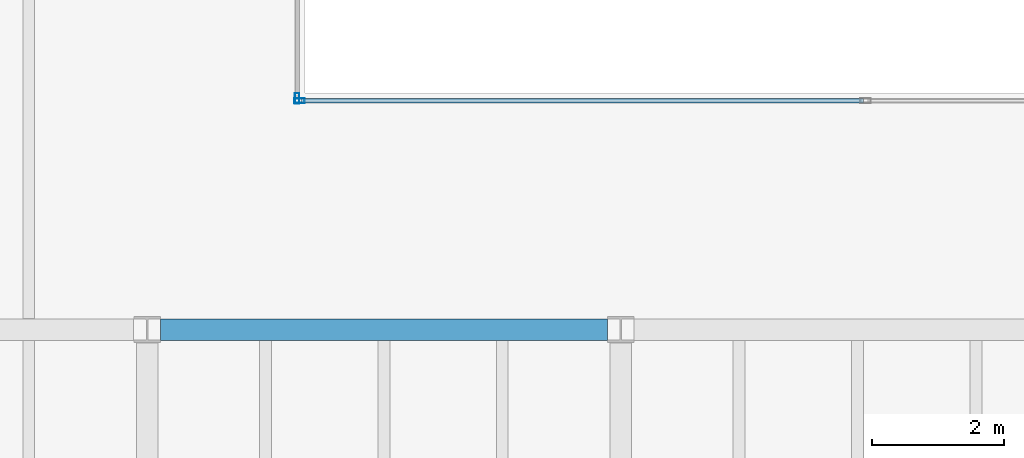
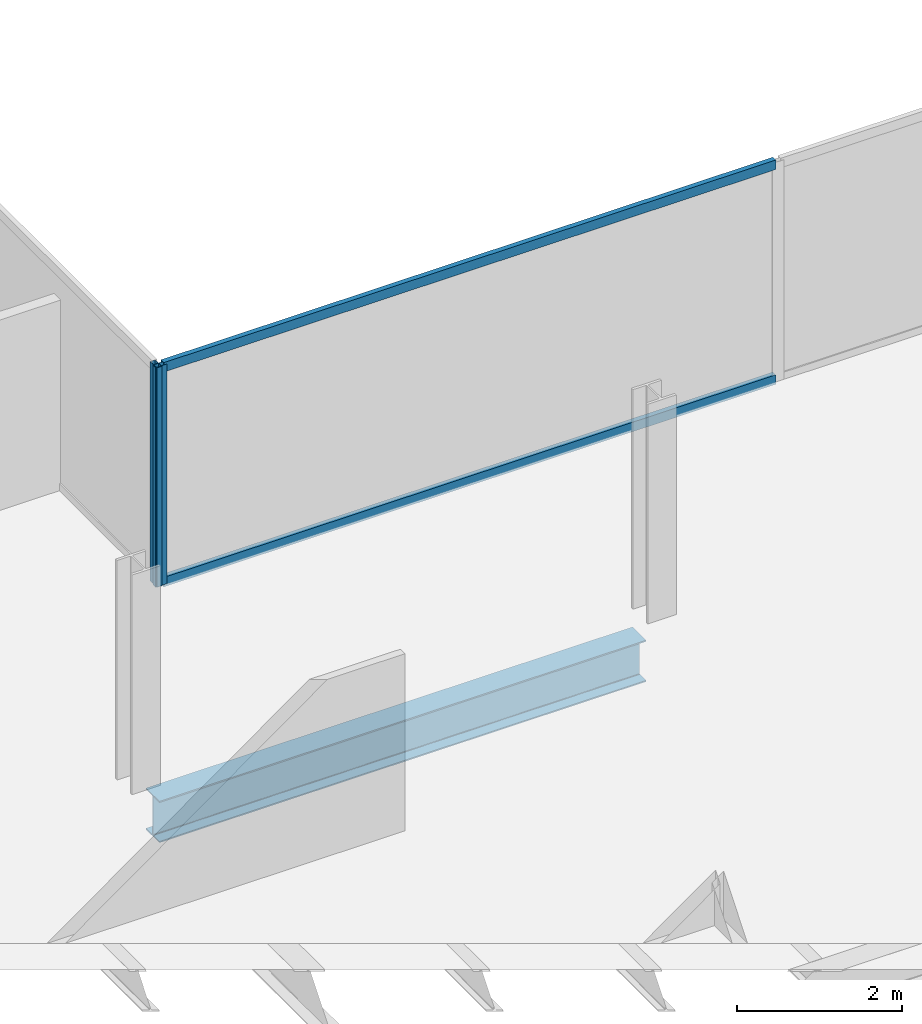
# One storey, part 8 of 23: 4 members, 1 beam, 2 elements without a shape of their own.
"""IFC4 building model written with IfcOpenShell, lengths in metres."""

from ifc_helpers import new_model, si_unit, direction, frame, origin, origin_2d, place, context, subcontext, project, spatial, hollow_rectangle, i_section, extrude, material, material_profile, profile_set, type_object, element, aggregate, save


model = new_model("IFC4")

# Units and contexts
model_context = context("Model", 3, precision=1e-05, world=origin(), true_north=direction((0.0, 1.0)))
body_context = subcontext(model_context, "Body", "Model", "MODEL_VIEW")
ifc_project = project(units=[si_unit("LENGTHUNIT", "METRE"), si_unit("AREAUNIT", "SQUARE_METRE"), si_unit("VOLUMEUNIT", "CUBIC_METRE"), si_unit("PLANEANGLEUNIT", "RADIAN"), si_unit("MASSUNIT", "GRAM", prefix="KILO")], contexts=[model_context])

# Site, building, storey
site_placement = place(None, origin())
site = spatial("IfcSite", under=ifc_project, at=site_placement, CompositionType="ELEMENT")
building_placement = place(site_placement, origin())
building = spatial("IfcBuilding", under=site, at=building_placement, Name="Cobrela Telecom Tower", CompositionType="ELEMENT")
storey_placement = place(building_placement, frame((0.0, 0.0, 229.25)))
storey = spatial("IfcBuildingStorey", under=building, at=storey_placement, Name="L59", CompositionType="ELEMENT", Elevation=229.25)

# Beam
ifc_material_1 = material(Name="Steel ASTM A992 Grade 50", Category="steel")
ifc_material_profile_1 = material_profile(ifc_material_1, i_section(OverallWidth=0.324951171875, OverallDepth=0.612060546875, WebThickness=0.0126953125, FlangeThickness=0.01904296875, FilletRadius=0.014892578125, at=origin_2d()), Name="W24X104")
ifc_profile_set_1 = profile_set([ifc_material_profile_1], Name="Steel ASTM A992 Grade 50")
beam_type = type_object("IfcBeamType", Name="BM-GIRD-07", PredefinedType="USERDEFINED", material=ifc_profile_set_1)
beam_placement = place(storey_placement, frame((21.804443359375, 21.60009765625, -0.56591796875), z_axis=(1.0, 0.0, 0.0), x_axis=(0.0, 1.0, 0.0)))
element("IfcBeam", 1, at=beam_placement, inside=storey, type_object=beam_type, Name="L59 Primary Girder X16", ObjectType="GIRDER", PredefinedType="USERDEFINED", context=body_context, shape_type="SweptSolid", body=[
    extrude(i_section(OverallWidth=0.324951171875, OverallDepth=0.612060546875, WebThickness=0.0126953125, FlangeThickness=0.01904296875, FilletRadius=0.014892578125, at=origin_2d()), origin(), (0.0, 0.0, 1.0), 6.791015625),
])

# Curtain wall, member
ifc_material_2 = material(Name="Anodized Bronze Aluminium 6063-T6", Category="aluminium")
curtain_wall_type = type_object("IfcCurtainWallType", Name="CW-SYS-OFF-LO", PredefinedType="USERDEFINED", material=ifc_material_2)
curtain_wall_1_placement = place(storey_placement, origin())
curtain_wall_1 = element("IfcCurtainWall", 2, at=curtain_wall_1_placement, inside=storey, type_object=curtain_wall_type, Name="L59 Unitised Bronze Curtain Wall 10", ObjectType="UNITISED CURTAIN WALL", PredefinedType="USERDEFINED")
ifc_material_profile_2 = material_profile(ifc_material_2, hollow_rectangle(XDim=0.070068359375, YDim=0.159912109375, WallThickness=0.00390625, at=origin_2d()), Name="ALU 70x160x4")
ifc_profile_set_2 = profile_set([ifc_material_profile_2], Name="Anodized Bronze Aluminium 6063-T6")
member_type_1 = type_object("IfcMemberType", Name="CW-SYS-OFF-LO-MUL", PredefinedType="MULLION", material=ifc_profile_set_2)
member_1_placement = place(storey_placement, frame((23.8798828125, 25.114990234375, 0.0), z_axis=(0.0, 0.0, 1.0), x_axis=(1.0, 0.0, 0.0)))
member_1 = element("IfcMember", 3, at=member_1_placement, type_object=member_type_1, Name="CW-OFF-LO mullion 3", PredefinedType="MULLION", context=body_context, shape_type="SweptSolid", body=[
    extrude(hollow_rectangle(XDim=0.070068359375, YDim=0.159912109375, WallThickness=0.00390625, at=origin_2d()), origin(), (0.0, 0.0, 1.0), 3.239990234375),
])
aggregate(curtain_wall_1, [member_1])

# Curtain wall, members
curtain_wall_2_placement = place(storey_placement, origin())
curtain_wall_2 = element("IfcCurtainWall", 4, at=curtain_wall_2_placement, inside=storey, type_object=curtain_wall_type, Name="L59 Unitised Bronze Curtain Wall 11", ObjectType="UNITISED CURTAIN WALL", PredefinedType="USERDEFINED")
member_2_placement = place(storey_placement, frame((23.9150390625, 25.080078125, 0.0), z_axis=(0.0, 0.0, 1.0), x_axis=(0.0, 1.0, 0.0)))
member_2 = element("IfcMember", 5, at=member_2_placement, type_object=member_type_1, Name="CW-OFF-LO mullion 1", PredefinedType="MULLION", context=body_context, shape_type="SweptSolid", body=[
    extrude(hollow_rectangle(XDim=0.070068359375, YDim=0.159912109375, WallThickness=0.00390625, at=origin_2d()), origin(), (0.0, 0.0, 1.0), 3.239990234375),
])
ifc_material_profile_3 = material_profile(ifc_material_2, hollow_rectangle(XDim=0.070068359375, YDim=0.139892578125, WallThickness=0.00390625, at=origin_2d()), Name="ALU 70x140x4")
ifc_profile_set_3 = profile_set([ifc_material_profile_3], Name="Anodized Bronze Aluminium 6063-T6")
member_type_2 = type_object("IfcMemberType", Name="CW-SYS-OFF-LO-TRN", PredefinedType="USERDEFINED", material=ifc_profile_set_3)
member_3_placement = place(storey_placement, frame((23.949951171875, 25.080078125, 0.034912109375), z_axis=(1.0, 0.0, 0.0), x_axis=(0.0, 1.0, 0.0)))
member_3 = element("IfcMember", 6, at=member_3_placement, type_object=member_type_2, Name="CW-OFF-LO transom 1.1", ObjectType="TRANSOM", PredefinedType="USERDEFINED", context=body_context, shape_type="SweptSolid", body=[
    extrude(hollow_rectangle(XDim=0.070068359375, YDim=0.139892578125, WallThickness=0.00390625, at=origin_2d()), origin(), (0.0, 0.0, 1.0), 8.5400390625),
])
member_4_placement = place(storey_placement, frame((23.949951171875, 25.080078125, 3.205078125), z_axis=(1.0, 0.0, 0.0), x_axis=(0.0, 1.0, 0.0)))
member_4 = element("IfcMember", 7, at=member_4_placement, type_object=member_type_2, Name="CW-OFF-LO transom 1.2", ObjectType="TRANSOM", PredefinedType="USERDEFINED", context=body_context, shape_type="SweptSolid", body=[
    extrude(hollow_rectangle(XDim=0.070068359375, YDim=0.139892578125, WallThickness=0.00390625, at=origin_2d()), origin(), (0.0, 0.0, 1.0), 8.5400390625),
])
aggregate(curtain_wall_2, [member_2, member_3, member_4])

save(model, "model.ifc")
